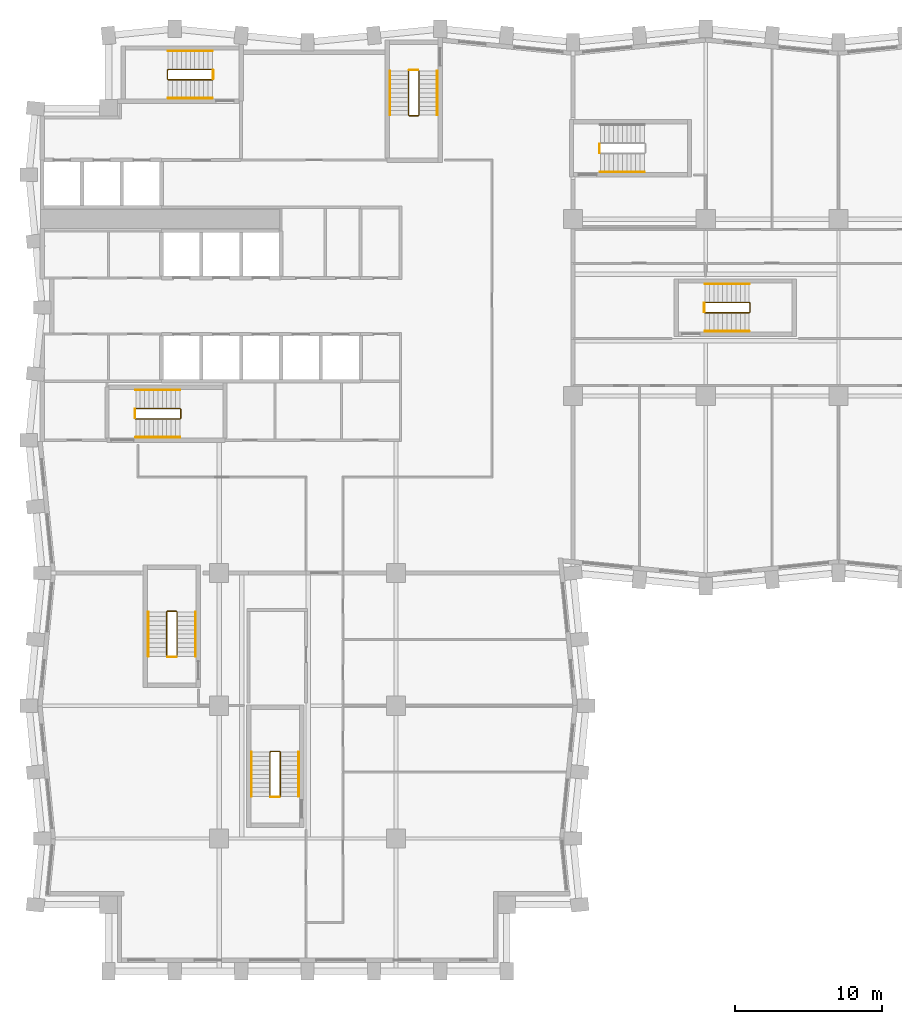
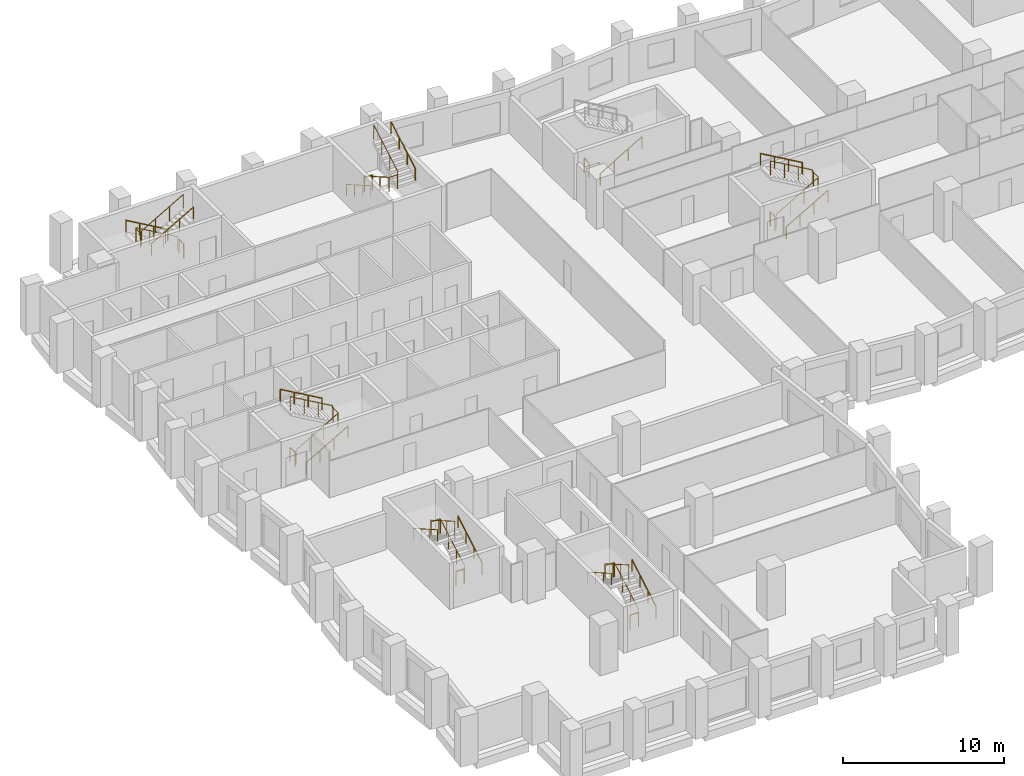
# One storey, part 10 of 11: 26 railings.
"""IFC4 building model written with IfcOpenShell, lengths in metres."""

from ifc_helpers import new_model, si_unit, direction, frame, origin, origin_2d, place, context, subcontext, project, spatial, circle, extrude, material, type_object, element, save


model = new_model("IFC4")

# Units and contexts
model_context = context("Model", 3, precision=1e-05, world=origin(), true_north=direction((0.0, 1.0)))
body_context = subcontext(model_context, "Body", "Model", "MODEL_VIEW")
ifc_project = project(units=[si_unit("LENGTHUNIT", "METRE"), si_unit("AREAUNIT", "SQUARE_METRE"), si_unit("VOLUMEUNIT", "CUBIC_METRE"), si_unit("PLANEANGLEUNIT", "RADIAN"), si_unit("MASSUNIT", "GRAM", prefix="KILO")], contexts=[model_context])

# Site, building, storey
site_placement = place(None, origin())
site = spatial("IfcSite", under=ifc_project, at=site_placement, CompositionType="ELEMENT")
building_placement = place(site_placement, origin())
building = spatial("IfcBuilding", under=site, at=building_placement, Name="Brondeck Convention Tower", CompositionType="ELEMENT")
storey_placement = place(building_placement, frame((0.0, 0.0, 122.699951171875)))
storey = spatial("IfcBuildingStorey", under=building, at=storey_placement, Name="L29", CompositionType="ELEMENT", Elevation=122.699951171875)

# Railings
ifc_material = material(Name="Steel S355", Category="steel")
railing_type_1 = type_object("IfcRailingType", Name="Stair guard 1100", PredefinedType="GUARDRAIL", material=ifc_material)
railing_1_placement = place(storey_placement, frame((6.35009765625, 37.449951171875, 0.1728515625)))
element("IfcRailing", 1, at=railing_1_placement, inside=storey, type_object=railing_type_1, Name="L29 ST-1 stair guard 1", PredefinedType="GUARDRAIL", context=body_context, shape_type="SweptSolid", body=[
    extrude(circle(Radius=0.02392578125, at=origin_2d()), frame((0.0, 0.0, 1.076171875), z_axis=(0.866619684472, 0.0, 0.498969260062), x_axis=(0.0, 1.0, 0.0)), (0.0, 0.0, 1.0), 3.461669921875),
    extrude(circle(Radius=0.02392578125, at=origin_2d()), frame((3.0, 0.0, 2.80322265625), z_axis=(0.705375805398, 0.708833529934, 0.0), x_axis=(-0.708833529934, 0.705375805398, 0.0)), (0.0, 0.0, 1.0), 0.070556640625),
    extrude(circle(Radius=0.02392578125, at=origin_2d()), frame((3.0498046875, 0.050048828125, 2.80322265625), z_axis=(0.0, 1.0, 0.0), x_axis=(-1.0, 0.0, 0.0)), (0.0, 0.0, 1.0), 0.60009765625),
    extrude(circle(Radius=0.02392578125, at=origin_2d()), frame((3.0498046875, 0.650146484375, 2.80322265625), z_axis=(-0.26715648603, 0.26715648603, 0.925880566782), x_axis=(-0.707106781187, -0.707106781187, 0.0)), (0.0, 0.0, 1.0), 0.1865234375),
    extrude(circle(Radius=0.02392578125, at=origin_2d()), frame((3.0, 0.699951171875, 2.97607421875), z_axis=(-0.866619684472, 0.0, 0.498969260062), x_axis=(0.0, -1.0, 0.0)), (0.0, 0.0, 1.0), 3.461669921875),
    extrude(circle(Radius=0.02099609375, at=origin_2d()), origin(), (0.0, 0.0, 1.0), 1.052001953125),
    extrude(circle(Radius=0.02099609375, at=origin_2d()), frame((1.0, 0.0, 0.57568359375)), (0.0, 0.0, 1.0), 1.052001953125),
    extrude(circle(Radius=0.02099609375, at=origin_2d()), frame((2.0, 0.0, 1.151611328125)), (0.0, 0.0, 1.0), 1.052001953125),
    extrude(circle(Radius=0.02099609375, at=origin_2d()), frame((3.0, 0.0, 1.727294921875)), (0.0, 0.0, 1.0), 1.052001953125),
    extrude(circle(Radius=0.02099609375, at=origin_2d()), frame((3.0498046875, 0.050048828125, 1.727294921875)), (0.0, 0.0, 1.0), 1.052001953125),
    extrude(circle(Radius=0.02099609375, at=origin_2d()), frame((3.0498046875, 0.650146484375, 1.727294921875)), (0.0, 0.0, 1.0), 1.052001953125),
    extrude(circle(Radius=0.02099609375, at=origin_2d()), frame((3.0, 0.699951171875, 1.89990234375)), (0.0, 0.0, 1.0), 1.052001953125),
    extrude(circle(Radius=0.02099609375, at=origin_2d()), frame((2.0, 0.699951171875, 2.4755859375)), (0.0, 0.0, 1.0), 1.052001953125),
    extrude(circle(Radius=0.02099609375, at=origin_2d()), frame((1.0, 0.699951171875, 3.051513671875)), (0.0, 0.0, 1.0), 1.052001953125),
    extrude(circle(Radius=0.02099609375, at=origin_2d()), frame((0.0, 0.699951171875, 3.627197265625)), (0.0, 0.0, 1.0), 1.052001953125),
])
railing_2_placement = place(storey_placement, frame((6.300048828125, 37.5, 0.0)))
element("IfcRailing", 2, at=railing_2_placement, inside=storey, type_object=railing_type_1, Name="L29 ST-1 stair guard 2", PredefinedType="GUARDRAIL", context=body_context, shape_type="SweptSolid", body=[
    extrude(circle(Radius=0.02392578125, at=origin_2d()), frame((0.0, 0.0, 1.076171875), z_axis=(0.0, 1.0, 0.0), x_axis=(-1.0, 0.0, 0.0)), (0.0, 0.0, 1.0), 0.60009765625),
    extrude(circle(Radius=0.02099609375, at=origin_2d()), origin(), (0.0, 0.0, 1.0), 1.052001953125),
    extrude(circle(Radius=0.02099609375, at=origin_2d()), frame((0.0, 0.60009765625, 0.0)), (0.0, 0.0, 1.0), 1.052001953125),
])
railing_3_placement = place(storey_placement, frame((24.85009765625, 61.050048828125, 0.1728515625)))
element("IfcRailing", 3, at=railing_3_placement, inside=storey, type_object=railing_type_1, Name="L29 ST-2 stair guard 1", PredefinedType="GUARDRAIL", context=body_context, shape_type="SweptSolid", body=[
    extrude(circle(Radius=0.02392578125, at=origin_2d()), frame((0.0, 0.0, 1.076171875), z_axis=(0.0, -0.866619684472, 0.498969260062), x_axis=(1.0, 0.0, 0.0)), (0.0, 0.0, 1.0), 3.461669921875),
    extrude(circle(Radius=0.02392578125, at=origin_2d()), frame((0.0, -3.0, 2.80322265625), z_axis=(0.705375805398, -0.708833529934, 0.0), x_axis=(0.708833529934, 0.705375805398, 0.0)), (0.0, 0.0, 1.0), 0.070556640625),
    extrude(circle(Radius=0.02392578125, at=origin_2d()), frame((0.0498046875, -3.050048828125, 2.80322265625), z_axis=(1.0, 0.0, 0.0), x_axis=(0.0, 1.0, 0.0)), (0.0, 0.0, 1.0), 0.60009765625),
    extrude(circle(Radius=0.02392578125, at=origin_2d()), frame((0.64990234375, -3.050048828125, 2.80322265625), z_axis=(0.268277960024, 0.268277960024, 0.925231793839), x_axis=(-0.707106781187, 0.707106781187, 0.0)), (0.0, 0.0, 1.0), 0.1865234375),
    extrude(circle(Radius=0.02392578125, at=origin_2d()), frame((0.699951171875, -3.0, 2.97607421875), z_axis=(0.0, 0.866619684472, 0.498969260062), x_axis=(-1.0, 0.0, 0.0)), (0.0, 0.0, 1.0), 3.461669921875),
    extrude(circle(Radius=0.02099609375, at=origin_2d()), origin(), (0.0, 0.0, 1.0), 1.052001953125),
    extrude(circle(Radius=0.02099609375, at=origin_2d()), frame((0.0, -1.0, 0.57568359375)), (0.0, 0.0, 1.0), 1.052001953125),
    extrude(circle(Radius=0.02099609375, at=origin_2d()), frame((0.0, -2.0, 1.151611328125)), (0.0, 0.0, 1.0), 1.052001953125),
    extrude(circle(Radius=0.02099609375, at=origin_2d()), frame((0.0, -3.0, 1.727294921875)), (0.0, 0.0, 1.0), 1.052001953125),
    extrude(circle(Radius=0.02099609375, at=origin_2d()), frame((0.0498046875, -3.050048828125, 1.727294921875)), (0.0, 0.0, 1.0), 1.052001953125),
    extrude(circle(Radius=0.02099609375, at=origin_2d()), frame((0.64990234375, -3.050048828125, 1.727294921875)), (0.0, 0.0, 1.0), 1.052001953125),
    extrude(circle(Radius=0.02099609375, at=origin_2d()), frame((0.699951171875, -3.0, 1.89990234375)), (0.0, 0.0, 1.0), 1.052001953125),
    extrude(circle(Radius=0.02099609375, at=origin_2d()), frame((0.699951171875, -2.0, 2.4755859375)), (0.0, 0.0, 1.0), 1.052001953125),
    extrude(circle(Radius=0.02099609375, at=origin_2d()), frame((0.699951171875, -1.0, 3.051513671875)), (0.0, 0.0, 1.0), 1.052001953125),
    extrude(circle(Radius=0.02099609375, at=origin_2d()), frame((0.699951171875, 0.0, 3.627197265625)), (0.0, 0.0, 1.0), 1.052001953125),
])
railing_4_placement = place(storey_placement, frame((24.89990234375, 61.10009765625, 0.0)))
element("IfcRailing", 4, at=railing_4_placement, inside=storey, type_object=railing_type_1, Name="L29 ST-2 stair guard 2", PredefinedType="GUARDRAIL", context=body_context, shape_type="SweptSolid", body=[
    extrude(circle(Radius=0.02392578125, at=origin_2d()), frame((0.0, 0.0, 1.076171875), z_axis=(1.0, 0.0, 0.0), x_axis=(0.0, 1.0, 0.0)), (0.0, 0.0, 1.0), 0.60009765625),
    extrude(circle(Radius=0.02099609375, at=origin_2d()), origin(), (0.0, 0.0, 1.0), 1.052001953125),
    extrude(circle(Radius=0.02099609375, at=origin_2d()), frame((0.60009765625, 0.0, 0.0)), (0.0, 0.0, 1.0), 1.052001953125),
])
railing_5_placement = place(storey_placement, frame((11.550048828125, 61.14990234375, 0.1728515625)))
element("IfcRailing", 5, at=railing_5_placement, inside=storey, type_object=railing_type_1, Name="L29 ST-3 stair guard 1", PredefinedType="GUARDRAIL", context=body_context, shape_type="SweptSolid", body=[
    extrude(circle(Radius=0.02392578125, at=origin_2d()), frame((0.0, 0.0, 1.076171875), z_axis=(-0.866619684472, 0.0, 0.498969260062), x_axis=(0.0, -1.0, 0.0)), (0.0, 0.0, 1.0), 3.461669921875),
    extrude(circle(Radius=0.02392578125, at=origin_2d()), frame((-3.0, 0.0, 2.80322265625), z_axis=(-0.708833529934, -0.705375805398, 0.0), x_axis=(0.705375805398, -0.708833529934, 0.0)), (0.0, 0.0, 1.0), 0.070556640625),
    extrude(circle(Radius=0.02392578125, at=origin_2d()), frame((-3.050048828125, -0.0498046875, 2.80322265625), z_axis=(0.0, -1.0, 0.0), x_axis=(1.0, 0.0, 0.0)), (0.0, 0.0, 1.0), 0.60009765625),
    extrude(circle(Radius=0.02392578125, at=origin_2d()), frame((-3.050048828125, -0.64990234375, 2.80322265625), z_axis=(0.268277960024, -0.268277960024, 0.925231793839), x_axis=(0.707106781187, 0.707106781187, 0.0)), (0.0, 0.0, 1.0), 0.1865234375),
    extrude(circle(Radius=0.02392578125, at=origin_2d()), frame((-3.0, -0.699951171875, 2.97607421875), z_axis=(0.866619684472, 0.0, 0.498969260062), x_axis=(0.0, 1.0, 0.0)), (0.0, 0.0, 1.0), 3.461669921875),
    extrude(circle(Radius=0.02099609375, at=origin_2d()), origin(), (0.0, 0.0, 1.0), 1.052001953125),
    extrude(circle(Radius=0.02099609375, at=origin_2d()), frame((-1.0, 0.0, 0.57568359375)), (0.0, 0.0, 1.0), 1.052001953125),
    extrude(circle(Radius=0.02099609375, at=origin_2d()), frame((-2.0, 0.0, 1.151611328125)), (0.0, 0.0, 1.0), 1.052001953125),
    extrude(circle(Radius=0.02099609375, at=origin_2d()), frame((-3.0, 0.0, 1.727294921875)), (0.0, 0.0, 1.0), 1.052001953125),
    extrude(circle(Radius=0.02099609375, at=origin_2d()), frame((-3.050048828125, -0.0498046875, 1.727294921875)), (0.0, 0.0, 1.0), 1.052001953125),
    extrude(circle(Radius=0.02099609375, at=origin_2d()), frame((-3.050048828125, -0.64990234375, 1.727294921875)), (0.0, 0.0, 1.0), 1.052001953125),
    extrude(circle(Radius=0.02099609375, at=origin_2d()), frame((-3.0, -0.699951171875, 1.89990234375)), (0.0, 0.0, 1.0), 1.052001953125),
    extrude(circle(Radius=0.02099609375, at=origin_2d()), frame((-2.0, -0.699951171875, 2.4755859375)), (0.0, 0.0, 1.0), 1.052001953125),
    extrude(circle(Radius=0.02099609375, at=origin_2d()), frame((-1.0, -0.699951171875, 3.051513671875)), (0.0, 0.0, 1.0), 1.052001953125),
    extrude(circle(Radius=0.02099609375, at=origin_2d()), frame((0.0, -0.699951171875, 3.627197265625)), (0.0, 0.0, 1.0), 1.052001953125),
])
railing_6_placement = place(storey_placement, frame((11.60009765625, 61.10009765625, 0.0)))
element("IfcRailing", 6, at=railing_6_placement, inside=storey, type_object=railing_type_1, Name="L29 ST-3 stair guard 2", PredefinedType="GUARDRAIL", context=body_context, shape_type="SweptSolid", body=[
    extrude(circle(Radius=0.02392578125, at=origin_2d()), frame((0.0, 0.0, 1.076171875), z_axis=(0.0, -1.0, 0.0), x_axis=(1.0, 0.0, 0.0)), (0.0, 0.0, 1.0), 0.60009765625),
    extrude(circle(Radius=0.02099609375, at=origin_2d()), origin(), (0.0, 0.0, 1.0), 1.052001953125),
    extrude(circle(Radius=0.02099609375, at=origin_2d()), frame((0.0, -0.60009765625, 0.0)), (0.0, 0.0, 1.0), 1.052001953125),
])
railing_7_placement = place(storey_placement, frame((37.800048828125, 55.5, 0.0)))
element("IfcRailing", 7, at=railing_7_placement, inside=storey, type_object=railing_type_1, Name="L29 ST-AE stair guard 2", PredefinedType="GUARDRAIL", context=body_context, shape_type="SweptSolid", body=[
    extrude(circle(Radius=0.02392578125, at=origin_2d()), frame((0.0, 0.0, 1.076171875), z_axis=(0.0, 1.0, 0.0), x_axis=(-1.0, 0.0, 0.0)), (0.0, 0.0, 1.0), 0.60009765625),
    extrude(circle(Radius=0.02099609375, at=origin_2d()), origin(), (0.0, 0.0, 1.0), 1.052001953125),
    extrude(circle(Radius=0.02099609375, at=origin_2d()), frame((0.0, 0.60009765625, 0.0)), (0.0, 0.0, 1.0), 1.052001953125),
])
railing_8_placement = place(storey_placement, frame((9.14990234375, 21.35009765625, 0.1728515625)))
element("IfcRailing", 8, at=railing_8_placement, inside=storey, type_object=railing_type_1, Name="L29 ST-BE stair guard 1", PredefinedType="GUARDRAIL", context=body_context, shape_type="SweptSolid", body=[
    extrude(circle(Radius=0.02392578125, at=origin_2d()), frame((0.0, 0.0, 1.076171875), z_axis=(0.0, 0.866619684472, 0.498969260062), x_axis=(-1.0, 0.0, 0.0)), (0.0, 0.0, 1.0), 3.461669921875),
    extrude(circle(Radius=0.02392578125, at=origin_2d()), frame((0.0, 3.0, 2.80322265625), z_axis=(-0.707106781187, 0.707106781187, 0.0), x_axis=(-0.707106781187, -0.707106781187, 0.0)), (0.0, 0.0, 1.0), 0.0703125),
    extrude(circle(Radius=0.02392578125, at=origin_2d()), frame((-0.0498046875, 3.0498046875, 2.80322265625), z_axis=(-1.0, 0.0, 0.0), x_axis=(0.0, -1.0, 0.0)), (0.0, 0.0, 1.0), 0.60009765625),
    extrude(circle(Radius=0.02392578125, at=origin_2d()), frame((-0.64990234375, 3.0498046875, 2.80322265625), z_axis=(-0.268371968888, -0.267062837333, 0.925556009775), x_axis=(0.705375805398, -0.708833529934, 0.0)), (0.0, 0.0, 1.0), 0.1865234375),
    extrude(circle(Radius=0.02392578125, at=origin_2d()), frame((-0.699951171875, 3.0, 2.97607421875), z_axis=(0.0, -0.866619684472, 0.498969260062), x_axis=(1.0, 0.0, 0.0)), (0.0, 0.0, 1.0), 3.461669921875),
    extrude(circle(Radius=0.02099609375, at=origin_2d()), origin(), (0.0, 0.0, 1.0), 1.052001953125),
    extrude(circle(Radius=0.02099609375, at=origin_2d()), frame((0.0, 1.0, 0.57568359375)), (0.0, 0.0, 1.0), 1.052001953125),
    extrude(circle(Radius=0.02099609375, at=origin_2d()), frame((0.0, 2.0, 1.151611328125)), (0.0, 0.0, 1.0), 1.052001953125),
    extrude(circle(Radius=0.02099609375, at=origin_2d()), frame((0.0, 3.0, 1.727294921875)), (0.0, 0.0, 1.0), 1.052001953125),
    extrude(circle(Radius=0.02099609375, at=origin_2d()), frame((-0.0498046875, 3.0498046875, 1.727294921875)), (0.0, 0.0, 1.0), 1.052001953125),
    extrude(circle(Radius=0.02099609375, at=origin_2d()), frame((-0.64990234375, 3.0498046875, 1.727294921875)), (0.0, 0.0, 1.0), 1.052001953125),
    extrude(circle(Radius=0.02099609375, at=origin_2d()), frame((-0.699951171875, 3.0, 1.89990234375)), (0.0, 0.0, 1.0), 1.052001953125),
    extrude(circle(Radius=0.02099609375, at=origin_2d()), frame((-0.699951171875, 2.0, 2.4755859375)), (0.0, 0.0, 1.0), 1.052001953125),
    extrude(circle(Radius=0.02099609375, at=origin_2d()), frame((-0.699951171875, 1.0, 3.051513671875)), (0.0, 0.0, 1.0), 1.052001953125),
    extrude(circle(Radius=0.02099609375, at=origin_2d()), frame((-0.699951171875, 0.0, 3.627197265625)), (0.0, 0.0, 1.0), 1.052001953125),
])
railing_9_placement = place(storey_placement, frame((9.10009765625, 21.300048828125, 0.0)))
element("IfcRailing", 9, at=railing_9_placement, inside=storey, type_object=railing_type_1, Name="L29 ST-BE stair guard 2", PredefinedType="GUARDRAIL", context=body_context, shape_type="SweptSolid", body=[
    extrude(circle(Radius=0.02392578125, at=origin_2d()), frame((0.0, 0.0, 1.076171875), z_axis=(-1.0, 0.0, 0.0), x_axis=(0.0, -1.0, 0.0)), (0.0, 0.0, 1.0), 0.60009765625),
    extrude(circle(Radius=0.02099609375, at=origin_2d()), origin(), (0.0, 0.0, 1.0), 1.052001953125),
    extrude(circle(Radius=0.02099609375, at=origin_2d()), frame((-0.60009765625, 0.0, 0.0)), (0.0, 0.0, 1.0), 1.052001953125),
])
railing_10_placement = place(storey_placement, frame((44.949951171875, 44.64990234375, 0.1728515625)))
element("IfcRailing", 10, at=railing_10_placement, inside=storey, type_object=railing_type_1, Name="L29 ST-AF stair guard 1", PredefinedType="GUARDRAIL", context=body_context, shape_type="SweptSolid", body=[
    extrude(circle(Radius=0.02392578125, at=origin_2d()), frame((0.0, 0.0, 1.076171875), z_axis=(0.866619684472, 0.0, 0.498969260062), x_axis=(0.0, 1.0, 0.0)), (0.0, 0.0, 1.0), 3.461669921875),
    extrude(circle(Radius=0.02392578125, at=origin_2d()), frame((3.0, 0.0, 2.80322265625), z_axis=(0.707106781187, 0.707106781187, 0.0), x_axis=(-0.707106781187, 0.707106781187, 0.0)), (0.0, 0.0, 1.0), 0.07080078125),
    extrude(circle(Radius=0.02392578125, at=origin_2d()), frame((3.050048828125, 0.050048828125, 2.80322265625), z_axis=(0.0, 1.0, 0.0), x_axis=(-1.0, 0.0, 0.0)), (0.0, 0.0, 1.0), 0.60009765625),
    extrude(circle(Radius=0.02392578125, at=origin_2d()), frame((3.050048828125, 0.650146484375, 2.80322265625), z_axis=(-0.268277960024, 0.268277960024, 0.925231793839), x_axis=(-0.707106781187, -0.707106781187, 0.0)), (0.0, 0.0, 1.0), 0.1865234375),
    extrude(circle(Radius=0.02392578125, at=origin_2d()), frame((3.0, 0.7001953125, 2.97607421875), z_axis=(-0.866619684472, 0.0, 0.498969260062), x_axis=(0.0, -1.0, 0.0)), (0.0, 0.0, 1.0), 3.461669921875),
    extrude(circle(Radius=0.02099609375, at=origin_2d()), origin(), (0.0, 0.0, 1.0), 1.052001953125),
    extrude(circle(Radius=0.02099609375, at=origin_2d()), frame((1.0, 0.0, 0.57568359375)), (0.0, 0.0, 1.0), 1.052001953125),
    extrude(circle(Radius=0.02099609375, at=origin_2d()), frame((2.0, 0.0, 1.151611328125)), (0.0, 0.0, 1.0), 1.052001953125),
    extrude(circle(Radius=0.02099609375, at=origin_2d()), frame((3.0, 0.0, 1.727294921875)), (0.0, 0.0, 1.0), 1.052001953125),
    extrude(circle(Radius=0.02099609375, at=origin_2d()), frame((3.050048828125, 0.050048828125, 1.727294921875)), (0.0, 0.0, 1.0), 1.052001953125),
    extrude(circle(Radius=0.02099609375, at=origin_2d()), frame((3.050048828125, 0.650146484375, 1.727294921875)), (0.0, 0.0, 1.0), 1.052001953125),
    extrude(circle(Radius=0.02099609375, at=origin_2d()), frame((3.0, 0.7001953125, 1.89990234375)), (0.0, 0.0, 1.0), 1.052001953125),
    extrude(circle(Radius=0.02099609375, at=origin_2d()), frame((2.0, 0.7001953125, 2.4755859375)), (0.0, 0.0, 1.0), 1.052001953125),
    extrude(circle(Radius=0.02099609375, at=origin_2d()), frame((1.0, 0.7001953125, 3.051513671875)), (0.0, 0.0, 1.0), 1.052001953125),
    extrude(circle(Radius=0.02099609375, at=origin_2d()), frame((0.0, 0.7001953125, 3.627197265625)), (0.0, 0.0, 1.0), 1.052001953125),
])
railing_11_placement = place(storey_placement, frame((44.89990234375, 44.699951171875, 0.0)))
element("IfcRailing", 11, at=railing_11_placement, inside=storey, type_object=railing_type_1, Name="L29 ST-AF stair guard 2", PredefinedType="GUARDRAIL", context=body_context, shape_type="SweptSolid", body=[
    extrude(circle(Radius=0.02392578125, at=origin_2d()), frame((0.0, 0.0, 1.076171875), z_axis=(0.0, 1.0, 0.0), x_axis=(-1.0, 0.0, 0.0)), (0.0, 0.0, 1.0), 0.60009765625),
    extrude(circle(Radius=0.02099609375, at=origin_2d()), origin(), (0.0, 0.0, 1.0), 1.052001953125),
    extrude(circle(Radius=0.02099609375, at=origin_2d()), frame((0.0, 0.60009765625, 0.0)), (0.0, 0.0, 1.0), 1.052001953125),
])
railing_12_placement = place(storey_placement, frame((16.14990234375, 11.85009765625, 0.1728515625)))
element("IfcRailing", 12, at=railing_12_placement, inside=storey, type_object=railing_type_1, Name="L29 ST-BF stair guard 1", PredefinedType="GUARDRAIL", context=body_context, shape_type="SweptSolid", body=[
    extrude(circle(Radius=0.02392578125, at=origin_2d()), frame((0.0, 0.0, 1.076171875), z_axis=(0.0, 0.866619684472, 0.498969260062), x_axis=(-1.0, 0.0, 0.0)), (0.0, 0.0, 1.0), 3.461669921875),
    extrude(circle(Radius=0.02392578125, at=origin_2d()), frame((0.0, 3.0, 2.80322265625), z_axis=(-0.707106781187, 0.707106781187, 0.0), x_axis=(-0.707106781187, -0.707106781187, 0.0)), (0.0, 0.0, 1.0), 0.0703125),
    extrude(circle(Radius=0.02392578125, at=origin_2d()), frame((-0.0498046875, 3.0498046875, 2.80322265625), z_axis=(-1.0, 0.0, 0.0), x_axis=(0.0, -1.0, 0.0)), (0.0, 0.0, 1.0), 0.60009765625),
    extrude(circle(Radius=0.02392578125, at=origin_2d()), frame((-0.64990234375, 3.0498046875, 2.80322265625), z_axis=(-0.268371968888, -0.267062837333, 0.925556009775), x_axis=(0.705375805398, -0.708833529934, 0.0)), (0.0, 0.0, 1.0), 0.1865234375),
    extrude(circle(Radius=0.02392578125, at=origin_2d()), frame((-0.699951171875, 3.0, 2.97607421875), z_axis=(0.0, -0.866619684472, 0.498969260062), x_axis=(1.0, 0.0, 0.0)), (0.0, 0.0, 1.0), 3.461669921875),
    extrude(circle(Radius=0.02099609375, at=origin_2d()), origin(), (0.0, 0.0, 1.0), 1.052001953125),
    extrude(circle(Radius=0.02099609375, at=origin_2d()), frame((0.0, 1.0, 0.57568359375)), (0.0, 0.0, 1.0), 1.052001953125),
    extrude(circle(Radius=0.02099609375, at=origin_2d()), frame((0.0, 2.0, 1.151611328125)), (0.0, 0.0, 1.0), 1.052001953125),
    extrude(circle(Radius=0.02099609375, at=origin_2d()), frame((0.0, 3.0, 1.727294921875)), (0.0, 0.0, 1.0), 1.052001953125),
    extrude(circle(Radius=0.02099609375, at=origin_2d()), frame((-0.0498046875, 3.0498046875, 1.727294921875)), (0.0, 0.0, 1.0), 1.052001953125),
    extrude(circle(Radius=0.02099609375, at=origin_2d()), frame((-0.64990234375, 3.0498046875, 1.727294921875)), (0.0, 0.0, 1.0), 1.052001953125),
    extrude(circle(Radius=0.02099609375, at=origin_2d()), frame((-0.699951171875, 3.0, 1.89990234375)), (0.0, 0.0, 1.0), 1.052001953125),
    extrude(circle(Radius=0.02099609375, at=origin_2d()), frame((-0.699951171875, 2.0, 2.4755859375)), (0.0, 0.0, 1.0), 1.052001953125),
    extrude(circle(Radius=0.02099609375, at=origin_2d()), frame((-0.699951171875, 1.0, 3.051513671875)), (0.0, 0.0, 1.0), 1.052001953125),
    extrude(circle(Radius=0.02099609375, at=origin_2d()), frame((-0.699951171875, 0.0, 3.627197265625)), (0.0, 0.0, 1.0), 1.052001953125),
])
railing_13_placement = place(storey_placement, frame((16.10009765625, 11.800048828125, 0.0)))
element("IfcRailing", 13, at=railing_13_placement, inside=storey, type_object=railing_type_1, Name="L29 ST-BF stair guard 2", PredefinedType="GUARDRAIL", context=body_context, shape_type="SweptSolid", body=[
    extrude(circle(Radius=0.02392578125, at=origin_2d()), frame((0.0, 0.0, 1.076171875), z_axis=(-1.0, 0.0, 0.0), x_axis=(0.0, -1.0, 0.0)), (0.0, 0.0, 1.0), 0.60009765625),
    extrude(circle(Radius=0.02099609375, at=origin_2d()), origin(), (0.0, 0.0, 1.0), 1.052001953125),
    extrude(circle(Radius=0.02099609375, at=origin_2d()), frame((-0.60009765625, 0.0, 0.0)), (0.0, 0.0, 1.0), 1.052001953125),
])
railing_type_2 = type_object("IfcRailingType", Name="Stair handrail", PredefinedType="HANDRAIL", material=ifc_material)
railing_14_placement = place(storey_placement, frame((6.35009765625, 36.199951171875, 0.1728515625)))
element("IfcRailing", 14, at=railing_14_placement, inside=storey, type_object=railing_type_2, Name="L29 ST-1 stair handrail 1", PredefinedType="HANDRAIL", context=body_context, shape_type="SweptSolid", body=[
    extrude(circle(Radius=0.02392578125, at=origin_2d()), frame((0.0, 0.0, 0.8759765625), z_axis=(0.866619684472, 0.0, 0.498969260062), x_axis=(0.0, 1.0, 0.0)), (0.0, 0.0, 1.0), 3.461669921875),
    extrude(circle(Radius=0.02099609375, at=origin_2d()), origin(), (0.0, 0.0, 1.0), 0.851806640625),
    extrude(circle(Radius=0.02099609375, at=origin_2d()), frame((1.0, 0.0, 0.57568359375)), (0.0, 0.0, 1.0), 0.851806640625),
    extrude(circle(Radius=0.02099609375, at=origin_2d()), frame((2.0, 0.0, 1.151611328125)), (0.0, 0.0, 1.0), 0.851806640625),
    extrude(circle(Radius=0.02099609375, at=origin_2d()), frame((3.0, 0.0, 1.727294921875)), (0.0, 0.0, 1.0), 0.851806640625),
])
railing_15_placement = place(storey_placement, frame((9.35009765625, 39.39990234375, 2.07275390625)))
element("IfcRailing", 15, at=railing_15_placement, inside=storey, type_object=railing_type_2, Name="L29 ST-1 stair handrail 2", PredefinedType="HANDRAIL", context=body_context, shape_type="SweptSolid", body=[
    extrude(circle(Radius=0.02392578125, at=origin_2d()), frame((0.0, 0.0, 0.8759765625), z_axis=(-0.866619684472, 0.0, 0.498969260062), x_axis=(0.0, -1.0, 0.0)), (0.0, 0.0, 1.0), 3.461669921875),
    extrude(circle(Radius=0.02099609375, at=origin_2d()), origin(), (0.0, 0.0, 1.0), 0.851806640625),
    extrude(circle(Radius=0.02099609375, at=origin_2d()), frame((-1.0, 0.0, 0.57568359375)), (0.0, 0.0, 1.0), 0.851806640625),
    extrude(circle(Radius=0.02099609375, at=origin_2d()), frame((-2.0, 0.0, 1.151611328125)), (0.0, 0.0, 1.0), 0.851806640625),
    extrude(circle(Radius=0.02099609375, at=origin_2d()), frame((-3.0, 0.0, 1.727294921875)), (0.0, 0.0, 1.0), 0.851806640625),
])
railing_16_placement = place(storey_placement, frame((23.60009765625, 61.050048828125, 0.1728515625)))
element("IfcRailing", 16, at=railing_16_placement, inside=storey, type_object=railing_type_2, Name="L29 ST-2 stair handrail 1", PredefinedType="HANDRAIL", context=body_context, shape_type="SweptSolid", body=[
    extrude(circle(Radius=0.02392578125, at=origin_2d()), frame((0.0, 0.0, 0.8759765625), z_axis=(0.0, -0.866619684472, 0.498969260062), x_axis=(1.0, 0.0, 0.0)), (0.0, 0.0, 1.0), 3.461669921875),
    extrude(circle(Radius=0.02099609375, at=origin_2d()), origin(), (0.0, 0.0, 1.0), 0.851806640625),
    extrude(circle(Radius=0.02099609375, at=origin_2d()), frame((0.0, -1.0, 0.57568359375)), (0.0, 0.0, 1.0), 0.851806640625),
    extrude(circle(Radius=0.02099609375, at=origin_2d()), frame((0.0, -2.0, 1.151611328125)), (0.0, 0.0, 1.0), 0.851806640625),
    extrude(circle(Radius=0.02099609375, at=origin_2d()), frame((0.0, -3.0, 1.727294921875)), (0.0, 0.0, 1.0), 0.851806640625),
])
railing_17_placement = place(storey_placement, frame((26.800048828125, 58.050048828125, 2.07275390625)))
element("IfcRailing", 17, at=railing_17_placement, inside=storey, type_object=railing_type_2, Name="L29 ST-2 stair handrail 2", PredefinedType="HANDRAIL", context=body_context, shape_type="SweptSolid", body=[
    extrude(circle(Radius=0.02392578125, at=origin_2d()), frame((0.0, 0.0, 0.8759765625), z_axis=(0.0, 0.866619684472, 0.498969260062), x_axis=(-1.0, 0.0, 0.0)), (0.0, 0.0, 1.0), 3.461669921875),
    extrude(circle(Radius=0.02099609375, at=origin_2d()), origin(), (0.0, 0.0, 1.0), 0.851806640625),
    extrude(circle(Radius=0.02099609375, at=origin_2d()), frame((0.0, 1.0, 0.57568359375)), (0.0, 0.0, 1.0), 0.851806640625),
    extrude(circle(Radius=0.02099609375, at=origin_2d()), frame((0.0, 2.0, 1.151611328125)), (0.0, 0.0, 1.0), 0.851806640625),
    extrude(circle(Radius=0.02099609375, at=origin_2d()), frame((0.0, 3.0, 1.727294921875)), (0.0, 0.0, 1.0), 0.851806640625),
])
railing_18_placement = place(storey_placement, frame((11.550048828125, 62.39990234375, 0.1728515625)))
element("IfcRailing", 18, at=railing_18_placement, inside=storey, type_object=railing_type_2, Name="L29 ST-3 stair handrail 1", PredefinedType="HANDRAIL", context=body_context, shape_type="SweptSolid", body=[
    extrude(circle(Radius=0.02392578125, at=origin_2d()), frame((0.0, 0.0, 0.8759765625), z_axis=(-0.866619684472, 0.0, 0.498969260062), x_axis=(0.0, -1.0, 0.0)), (0.0, 0.0, 1.0), 3.461669921875),
    extrude(circle(Radius=0.02099609375, at=origin_2d()), origin(), (0.0, 0.0, 1.0), 0.851806640625),
    extrude(circle(Radius=0.02099609375, at=origin_2d()), frame((-1.0, 0.0, 0.57568359375)), (0.0, 0.0, 1.0), 0.851806640625),
    extrude(circle(Radius=0.02099609375, at=origin_2d()), frame((-2.0, 0.0, 1.151611328125)), (0.0, 0.0, 1.0), 0.851806640625),
    extrude(circle(Radius=0.02099609375, at=origin_2d()), frame((-3.0, 0.0, 1.727294921875)), (0.0, 0.0, 1.0), 0.851806640625),
])
for number, where, name in (
    (19, (8.550048828125, 59.199951171875, 2.07275390625), "L29 ST-3 stair handrail 2"),
    (20, (37.85009765625, 54.199951171875, 0.1728515625), "L29 ST-AE stair handrail 1"),
):
    element("IfcRailing", number, at=place(storey_placement, frame(where)), inside=storey, type_object=railing_type_2, Name=name, PredefinedType="HANDRAIL", context=body_context, shape_type="SweptSolid", body=[
        extrude(circle(Radius=0.02392578125, at=origin_2d()), frame((0.0, 0.0, 0.8759765625), z_axis=(0.866619684472, 0.0, 0.498969260062), x_axis=(0.0, 1.0, 0.0)), (0.0, 0.0, 1.0), 3.461669921875),
        extrude(circle(Radius=0.02099609375, at=origin_2d()), origin(), (0.0, 0.0, 1.0), 0.851806640625),
        extrude(circle(Radius=0.02099609375, at=origin_2d()), frame((1.0, 0.0, 0.57568359375)), (0.0, 0.0, 1.0), 0.851806640625),
        extrude(circle(Radius=0.02099609375, at=origin_2d()), frame((2.0, 0.0, 1.151611328125)), (0.0, 0.0, 1.0), 0.851806640625),
        extrude(circle(Radius=0.02099609375, at=origin_2d()), frame((3.0, 0.0, 1.727294921875)), (0.0, 0.0, 1.0), 0.851806640625),
    ])
railing_19_placement = place(storey_placement, frame((10.39990234375, 21.35009765625, 0.1728515625)))
element("IfcRailing", 21, at=railing_19_placement, inside=storey, type_object=railing_type_2, Name="L29 ST-BE stair handrail 1", PredefinedType="HANDRAIL", context=body_context, shape_type="SweptSolid", body=[
    extrude(circle(Radius=0.02392578125, at=origin_2d()), frame((0.0, 0.0, 0.8759765625), z_axis=(0.0, 0.866619684472, 0.498969260062), x_axis=(-1.0, 0.0, 0.0)), (0.0, 0.0, 1.0), 3.461669921875),
    extrude(circle(Radius=0.02099609375, at=origin_2d()), origin(), (0.0, 0.0, 1.0), 0.851806640625),
    extrude(circle(Radius=0.02099609375, at=origin_2d()), frame((0.0, 1.0, 0.57568359375)), (0.0, 0.0, 1.0), 0.851806640625),
    extrude(circle(Radius=0.02099609375, at=origin_2d()), frame((0.0, 2.0, 1.151611328125)), (0.0, 0.0, 1.0), 0.851806640625),
    extrude(circle(Radius=0.02099609375, at=origin_2d()), frame((0.0, 3.0, 1.727294921875)), (0.0, 0.0, 1.0), 0.851806640625),
])
railing_20_placement = place(storey_placement, frame((7.199951171875, 24.35009765625, 2.07275390625)))
element("IfcRailing", 22, at=railing_20_placement, inside=storey, type_object=railing_type_2, Name="L29 ST-BE stair handrail 2", PredefinedType="HANDRAIL", context=body_context, shape_type="SweptSolid", body=[
    extrude(circle(Radius=0.02392578125, at=origin_2d()), frame((0.0, 0.0, 0.8759765625), z_axis=(0.0, -0.866619684472, 0.498969260062), x_axis=(1.0, 0.0, 0.0)), (0.0, 0.0, 1.0), 3.461669921875),
    extrude(circle(Radius=0.02099609375, at=origin_2d()), origin(), (0.0, 0.0, 1.0), 0.851806640625),
    extrude(circle(Radius=0.02099609375, at=origin_2d()), frame((0.0, -1.0, 0.57568359375)), (0.0, 0.0, 1.0), 0.851806640625),
    extrude(circle(Radius=0.02099609375, at=origin_2d()), frame((0.0, -2.0, 1.151611328125)), (0.0, 0.0, 1.0), 0.851806640625),
    extrude(circle(Radius=0.02099609375, at=origin_2d()), frame((0.0, -3.0, 1.727294921875)), (0.0, 0.0, 1.0), 0.851806640625),
])
railing_21_placement = place(storey_placement, frame((44.949951171875, 43.39990234375, 0.1728515625)))
element("IfcRailing", 23, at=railing_21_placement, inside=storey, type_object=railing_type_2, Name="L29 ST-AF stair handrail 1", PredefinedType="HANDRAIL", context=body_context, shape_type="SweptSolid", body=[
    extrude(circle(Radius=0.02392578125, at=origin_2d()), frame((0.0, 0.0, 0.8759765625), z_axis=(0.866619684472, 0.0, 0.498969260062), x_axis=(0.0, 1.0, 0.0)), (0.0, 0.0, 1.0), 3.461669921875),
    extrude(circle(Radius=0.02099609375, at=origin_2d()), origin(), (0.0, 0.0, 1.0), 0.851806640625),
    extrude(circle(Radius=0.02099609375, at=origin_2d()), frame((1.0, 0.0, 0.57568359375)), (0.0, 0.0, 1.0), 0.851806640625),
    extrude(circle(Radius=0.02099609375, at=origin_2d()), frame((2.0, 0.0, 1.151611328125)), (0.0, 0.0, 1.0), 0.851806640625),
    extrude(circle(Radius=0.02099609375, at=origin_2d()), frame((3.0, 0.0, 1.727294921875)), (0.0, 0.0, 1.0), 0.851806640625),
])
railing_22_placement = place(storey_placement, frame((47.949951171875, 46.60009765625, 2.07275390625)))
element("IfcRailing", 24, at=railing_22_placement, inside=storey, type_object=railing_type_2, Name="L29 ST-AF stair handrail 2", PredefinedType="HANDRAIL", context=body_context, shape_type="SweptSolid", body=[
    extrude(circle(Radius=0.02392578125, at=origin_2d()), frame((0.0, 0.0, 0.8759765625), z_axis=(-0.866619684472, 0.0, 0.498969260062), x_axis=(0.0, -1.0, 0.0)), (0.0, 0.0, 1.0), 3.461669921875),
    extrude(circle(Radius=0.02099609375, at=origin_2d()), origin(), (0.0, 0.0, 1.0), 0.851806640625),
    extrude(circle(Radius=0.02099609375, at=origin_2d()), frame((-1.0, 0.0, 0.57568359375)), (0.0, 0.0, 1.0), 0.851806640625),
    extrude(circle(Radius=0.02099609375, at=origin_2d()), frame((-2.0, 0.0, 1.151611328125)), (0.0, 0.0, 1.0), 0.851806640625),
    extrude(circle(Radius=0.02099609375, at=origin_2d()), frame((-3.0, 0.0, 1.727294921875)), (0.0, 0.0, 1.0), 0.851806640625),
])
railing_23_placement = place(storey_placement, frame((17.39990234375, 11.85009765625, 0.1728515625)))
element("IfcRailing", 25, at=railing_23_placement, inside=storey, type_object=railing_type_2, Name="L29 ST-BF stair handrail 1", PredefinedType="HANDRAIL", context=body_context, shape_type="SweptSolid", body=[
    extrude(circle(Radius=0.02392578125, at=origin_2d()), frame((0.0, 0.0, 0.8759765625), z_axis=(0.0, 0.866619684472, 0.498969260062), x_axis=(-1.0, 0.0, 0.0)), (0.0, 0.0, 1.0), 3.461669921875),
    extrude(circle(Radius=0.02099609375, at=origin_2d()), origin(), (0.0, 0.0, 1.0), 0.851806640625),
    extrude(circle(Radius=0.02099609375, at=origin_2d()), frame((0.0, 1.0, 0.57568359375)), (0.0, 0.0, 1.0), 0.851806640625),
    extrude(circle(Radius=0.02099609375, at=origin_2d()), frame((0.0, 2.0, 1.151611328125)), (0.0, 0.0, 1.0), 0.851806640625),
    extrude(circle(Radius=0.02099609375, at=origin_2d()), frame((0.0, 3.0, 1.727294921875)), (0.0, 0.0, 1.0), 0.851806640625),
])
railing_24_placement = place(storey_placement, frame((14.199951171875, 14.85009765625, 2.07275390625)))
element("IfcRailing", 26, at=railing_24_placement, inside=storey, type_object=railing_type_2, Name="L29 ST-BF stair handrail 2", PredefinedType="HANDRAIL", context=body_context, shape_type="SweptSolid", body=[
    extrude(circle(Radius=0.02392578125, at=origin_2d()), frame((0.0, 0.0, 0.8759765625), z_axis=(0.0, -0.866619684472, 0.498969260062), x_axis=(1.0, 0.0, 0.0)), (0.0, 0.0, 1.0), 3.461669921875),
    extrude(circle(Radius=0.02099609375, at=origin_2d()), origin(), (0.0, 0.0, 1.0), 0.851806640625),
    extrude(circle(Radius=0.02099609375, at=origin_2d()), frame((0.0, -1.0, 0.57568359375)), (0.0, 0.0, 1.0), 0.851806640625),
    extrude(circle(Radius=0.02099609375, at=origin_2d()), frame((0.0, -2.0, 1.151611328125)), (0.0, 0.0, 1.0), 0.851806640625),
    extrude(circle(Radius=0.02099609375, at=origin_2d()), frame((0.0, -3.0, 1.727294921875)), (0.0, 0.0, 1.0), 0.851806640625),
])

save(model, "model.ifc")
